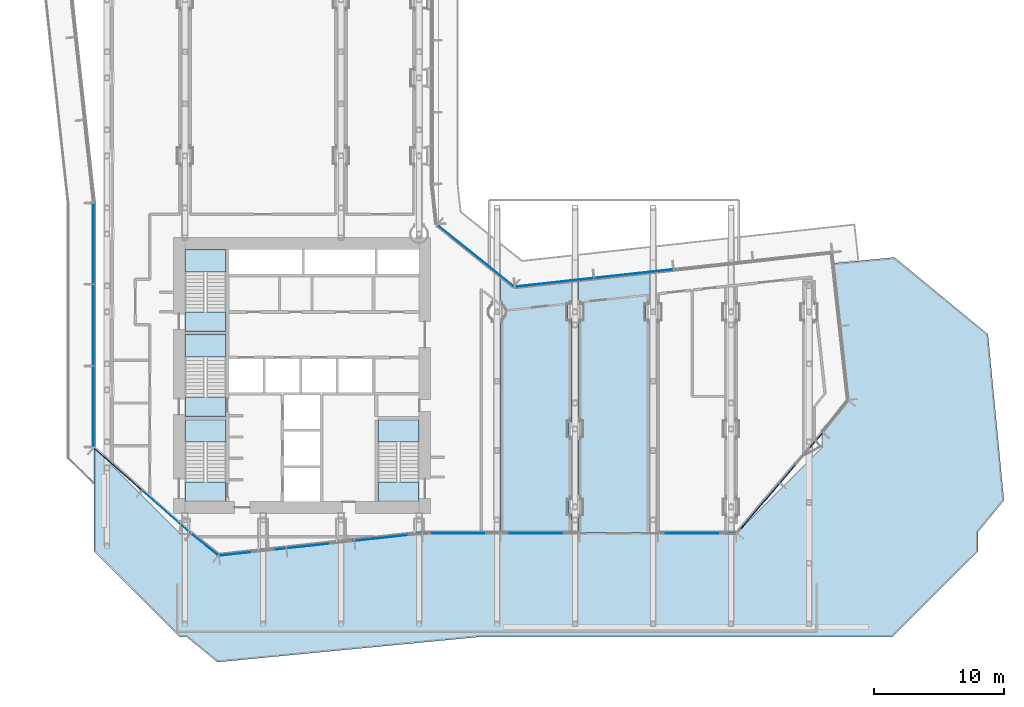
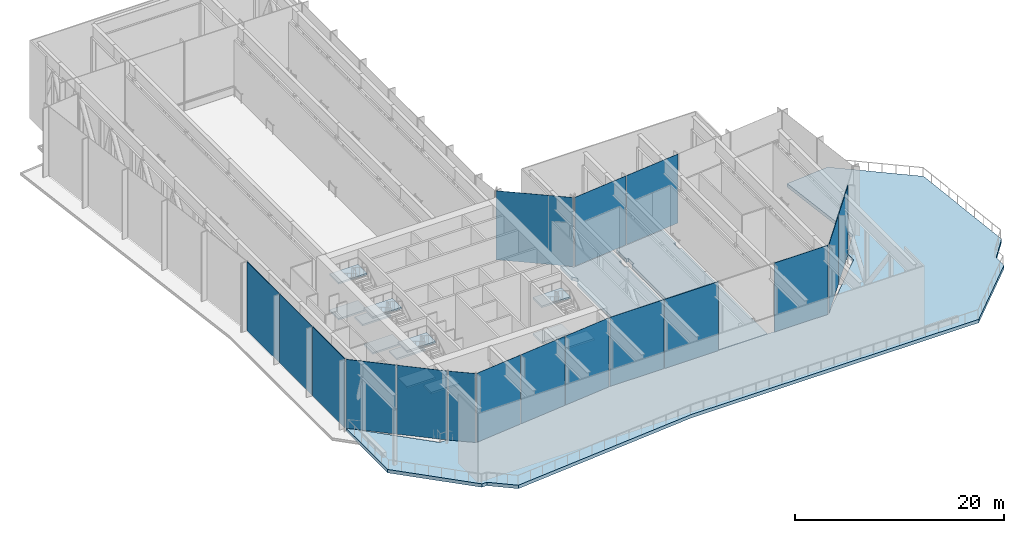
# One storey, part 12 of 25: 17 plates, 15 slabs, 13 elements without a shape of their own.
"""IFC4 building model written with IfcOpenShell, lengths in metres."""

from ifc_helpers import new_model, si_unit, direction, frame, origin, origin_2d, place, context, subcontext, project, spatial, polyline, rectangle, outline, extrude, material, layer, layer_set, type_object, element, aggregate, save


model = new_model("IFC4")

# Units and contexts
model_context = context("Model", 3, precision=1e-05, world=origin(), true_north=direction((0.0, 1.0)))
body_context = subcontext(model_context, "Body", "Model", "MODEL_VIEW")
ifc_project = project(units=[si_unit("LENGTHUNIT", "METRE"), si_unit("AREAUNIT", "SQUARE_METRE"), si_unit("VOLUMEUNIT", "CUBIC_METRE"), si_unit("PLANEANGLEUNIT", "RADIAN"), si_unit("MASSUNIT", "GRAM", prefix="KILO")], contexts=[model_context])

# Site, building, storey
site_placement = place(None, origin())
site = spatial("IfcSite", under=ifc_project, at=site_placement, CompositionType="ELEMENT")
building_placement = place(site_placement, origin())
building = spatial("IfcBuilding", under=site, at=building_placement, Name="Welwitschia Terrace Campus", CompositionType="ELEMENT")
storey_placement = place(building_placement, frame((0.0, 0.0, 79.39990234375)))
storey = spatial("IfcBuildingStorey", under=building, at=storey_placement, Name="L18", CompositionType="ELEMENT", Elevation=79.39990234375)

# Curtain wall, plate
ifc_material_1 = material(Name="Bronze anodised aluminium", Category="aluminium")
ifc_layer_1 = layer(ifc_material_1, 0.159912109375)
ifc_layer_set_1 = layer_set([ifc_layer_1], Name="Bronze anodised aluminium")
curtain_wall_type = type_object("IfcCurtainWallType", Name="Curtain wall CW3 commons 6000", PredefinedType="NOTDEFINED", material=ifc_layer_set_1)
curtain_wall_1_placement = place(storey_placement, origin())
curtain_wall_1 = element("IfcCurtainWall", 1, at=curtain_wall_1_placement, inside=storey, type_object=curtain_wall_type, Name="CW L18.5.0", PredefinedType="NOTDEFINED")
ifc_material_2 = material(Name="Tinted bronze-grey glass", Category="glass")
ifc_layer_2 = layer(ifc_material_2, 0.031982421875)
ifc_layer_set_2 = layer_set([ifc_layer_2], Name="Tinted bronze-grey glass")
plate_type_1 = type_object("IfcPlateType", Name="Glass panel 32 tinted", PredefinedType="CURTAIN_PANEL", material=ifc_layer_set_2)
plate_1_placement = place(storey_placement, frame((4.55810546875, 4.61376953125, 0.0), z_axis=(0.0, 0.0, 1.0), x_axis=(0.749629504102, -0.661857693601, 0.0)))
plate_1 = element("IfcPlate", 2, at=plate_1_placement, type_object=plate_type_1, Name="Panel L18.5.0.1", PredefinedType="CURTAIN_PANEL", context=body_context, shape_type="SweptSolid", body=[
    extrude(rectangle(XDim=4.907470703125, YDim=0.031982421875, at=origin_2d()), origin(), (0.0, 0.0, 1.0), 8.050048828125),
])

curtain_wall_2_placement = place(storey_placement, origin())
curtain_wall_2 = element("IfcCurtainWall", 3, at=curtain_wall_2_placement, inside=storey, type_object=curtain_wall_type, Name="CW L18.6.0", PredefinedType="NOTDEFINED")
plate_2_placement = place(storey_placement, frame((7.5107421875, 2.092529296875, 0.0), z_axis=(0.0, 0.0, 1.0), x_axis=(0.779884483093, -0.625923472184, 0.0)))
plate_2 = element("IfcPlate", 4, at=plate_2_placement, type_object=plate_type_1, Name="Panel L18.6.0.0", PredefinedType="CURTAIN_PANEL", context=body_context, shape_type="SweptSolid", body=[
    extrude(rectangle(XDim=2.6201171875, YDim=0.031982421875, at=origin_2d()), origin(), (0.0, 0.0, 1.0), 8.050048828125),
])
aggregate(curtain_wall_2, [plate_2])

# Curtain wall, plates
curtain_wall_3_placement = place(storey_placement, origin())
curtain_wall_3 = element("IfcCurtainWall", 5, at=curtain_wall_3_placement, inside=storey, type_object=curtain_wall_type, Name="CW L18.7.0", PredefinedType="NOTDEFINED")
plate_3_placement = place(storey_placement, frame((11.2041015625, 1.5224609375, 0.0), z_axis=(0.0, 0.0, 1.0), x_axis=(0.994056338222, 0.108866874852, 0.0)))
plate_3 = element("IfcPlate", 6, at=plate_3_placement, type_object=plate_type_1, Name="Panel L18.7.0.0", PredefinedType="CURTAIN_PANEL", context=body_context, shape_type="SweptSolid", body=[
    extrude(rectangle(XDim=5.1611328125, YDim=0.031982421875, at=origin_2d()), origin(), (0.0, 0.0, 1.0), 8.050048828125),
])
plate_4_placement = place(storey_placement, frame((16.409423828125, 2.092529296875, 0.0), z_axis=(0.0, 0.0, 1.0), x_axis=(0.994056338222, 0.108866874852, 0.0)))
plate_4 = element("IfcPlate", 7, at=plate_4_placement, type_object=plate_type_1, Name="Panel L18.7.0.1", PredefinedType="CURTAIN_PANEL", context=body_context, shape_type="SweptSolid", body=[
    extrude(rectangle(XDim=5.191162109375, YDim=0.031982421875, at=origin_2d()), origin(), (0.0, 0.0, 1.0), 8.050048828125),
])
plate_5_placement = place(storey_placement, frame((21.614501953125, 2.66259765625, 0.0), z_axis=(0.0, 0.0, 1.0), x_axis=(0.994056338222, 0.108866874852, 0.0)))
plate_5 = element("IfcPlate", 8, at=plate_5_placement, type_object=plate_type_1, Name="Panel L18.7.0.2", PredefinedType="CURTAIN_PANEL", context=body_context, shape_type="SweptSolid", body=[
    extrude(rectangle(XDim=5.1611328125, YDim=0.031982421875, at=origin_2d()), origin(), (0.0, 0.0, 1.0), 8.050048828125),
])
aggregate(curtain_wall_3, [plate_3, plate_4, plate_5])

# Curtain wall, plate
curtain_wall_4_placement = place(storey_placement, origin())
curtain_wall_4 = element("IfcCurtainWall", 9, at=curtain_wall_4_placement, inside=storey, type_object=curtain_wall_type, Name="CW L18.8.0", PredefinedType="NOTDEFINED")
plate_6_placement = place(storey_placement, frame((27.27880859375, 2.949951171875, 0.0), z_axis=(0.0, 0.0, 1.0), x_axis=(1.0, 0.0, 0.0)))
plate_6 = element("IfcPlate", 10, at=plate_6_placement, type_object=plate_type_1, Name="Panel L18.8.0.0", PredefinedType="CURTAIN_PANEL", context=body_context, shape_type="SweptSolid", body=[
    extrude(rectangle(XDim=5.958984375, YDim=0.031982421875, at=origin_2d()), origin(), (0.0, 0.0, 1.0), 8.050048828125),
])

# Curtain wall, plates
curtain_wall_5_placement = place(storey_placement, origin())
curtain_wall_5 = element("IfcCurtainWall", 11, at=curtain_wall_5_placement, inside=storey, type_object=curtain_wall_type, Name="CW L18.12.0", PredefinedType="NOTDEFINED")
plate_7_placement = place(storey_placement, frame((40.506591796875, 22.939697265625, 0.0), z_axis=(0.0, 0.0, 1.0), x_axis=(-0.994056338222, -0.108866874852, 0.0)))
plate_7 = element("IfcPlate", 12, at=plate_7_placement, type_object=plate_type_1, Name="Panel L18.12.0.2", PredefinedType="CURTAIN_PANEL", context=body_context, shape_type="SweptSolid", body=[
    extrude(rectangle(XDim=6.09375, YDim=0.031982421875, at=origin_2d()), origin(), (0.0, 0.0, 1.0), 8.050048828125),
])
plate_8_placement = place(storey_placement, frame((34.404296875, 22.271484375, 0.0), z_axis=(0.0, 0.0, 1.0), x_axis=(-0.994056338222, -0.108866874852, 0.0)))
plate_8 = element("IfcPlate", 13, at=plate_8_placement, type_object=plate_type_1, Name="Panel L18.12.0.3", PredefinedType="CURTAIN_PANEL", context=body_context, shape_type="SweptSolid", body=[
    extrude(rectangle(XDim=6.063720703125, YDim=0.031982421875, at=origin_2d()), origin(), (0.0, 0.0, 1.0), 8.050048828125),
])
aggregate(curtain_wall_5, [plate_7, plate_8])

# Curtain wall, plate
curtain_wall_6_placement = place(storey_placement, origin())
curtain_wall_6 = element("IfcCurtainWall", 14, at=curtain_wall_6_placement, inside=storey, type_object=curtain_wall_type, Name="CW L18.13.0", PredefinedType="NOTDEFINED")
plate_9_placement = place(storey_placement, frame((28.361328125, 24.318115234375, 0.0), z_axis=(0.0, 0.0, 1.0), x_axis=(-0.779884483093, 0.625923472184, 0.0)))
plate_9 = element("IfcPlate", 15, at=plate_9_placement, type_object=plate_type_1, Name="Panel L18.13.0.0", PredefinedType="CURTAIN_PANEL", context=body_context, shape_type="SweptSolid", body=[
    extrude(rectangle(XDim=7.495361328125, YDim=0.031982421875, at=origin_2d()), origin(), (0.0, 0.0, 1.0), 8.050048828125),
])
aggregate(curtain_wall_6, [plate_9])

# Curtain wall, plates
curtain_wall_7_placement = place(storey_placement, origin())
curtain_wall_7 = element("IfcCurtainWall", 16, at=curtain_wall_7_placement, inside=storey, type_object=curtain_wall_type, Name="CW L18.4.0", PredefinedType="NOTDEFINED")
ifc_material_3 = material(Name="Bronze anodised insulated metal panel")
ifc_layer_3 = layer(ifc_material_3, 0.06005859375)
ifc_layer_set_3 = layer_set([ifc_layer_3], Name="Bronze anodised insulated metal panel")
plate_type_2 = type_object("IfcPlateType", Name="Insulated metal panel 60", PredefinedType="CURTAIN_PANEL", material=ifc_layer_set_3)
plate_10_placement = place(storey_placement, frame((-1.050048828125, 25.242431640625, 0.0), z_axis=(0.0, 0.0, 1.0), x_axis=(0.0, -1.0, 0.0)))
plate_10 = element("IfcPlate", 17, at=plate_10_placement, type_object=plate_type_2, Name="Panel L18.4.0.0", PredefinedType="CURTAIN_PANEL", context=body_context, shape_type="SweptSolid", body=[
    extrude(rectangle(XDim=6.18701171875, YDim=0.06005859375, at=origin_2d()), origin(), (0.0, 0.0, 1.0), 8.050048828125),
])
plate_11_placement = place(storey_placement, frame((-1.050048828125, 18.98046875, 0.0), z_axis=(0.0, 0.0, 1.0), x_axis=(0.0, -1.0, 0.0)))
plate_11 = element("IfcPlate", 18, at=plate_11_placement, type_object=plate_type_2, Name="Panel L18.4.0.1", PredefinedType="CURTAIN_PANEL", context=body_context, shape_type="SweptSolid", body=[
    extrude(rectangle(XDim=6.217041015625, YDim=0.06005859375, at=origin_2d()), origin(), (0.0, 0.0, 1.0), 8.050048828125),
])
plate_12_placement = place(storey_placement, frame((-1.050048828125, 12.718505859375, 0.0), z_axis=(0.0, 0.0, 1.0), x_axis=(0.0, -1.0, 0.0)))
plate_12 = element("IfcPlate", 19, at=plate_12_placement, type_object=plate_type_2, Name="Panel L18.4.0.2", PredefinedType="CURTAIN_PANEL", context=body_context, shape_type="SweptSolid", body=[
    extrude(rectangle(XDim=6.18701171875, YDim=0.06005859375, at=origin_2d()), origin(), (0.0, 0.0, 1.0), 8.050048828125),
])
aggregate(curtain_wall_7, [plate_10, plate_11, plate_12])

# Plate
plate_13_placement = place(storey_placement, frame((0.834228515625, 7.9013671875, 0.0), z_axis=(0.0, 0.0, 1.0), x_axis=(0.749629504102, -0.661857693601, 0.0)))
plate_13 = element("IfcPlate", 20, at=plate_13_placement, type_object=plate_type_2, Name="Panel L18.5.0.0", PredefinedType="CURTAIN_PANEL", context=body_context, shape_type="SweptSolid", body=[
    extrude(rectangle(XDim=4.907470703125, YDim=0.06005859375, at=origin_2d()), origin(), (0.0, 0.0, 1.0), 8.050048828125),
])

aggregate(curtain_wall_1, [plate_13, plate_1])

plate_14_placement = place(storey_placement, frame((33.297607421875, 2.949951171875, 0.0), z_axis=(0.0, 0.0, 1.0), x_axis=(1.0, 0.0, 0.0)))
plate_14 = element("IfcPlate", 21, at=plate_14_placement, type_object=plate_type_2, Name="Panel L18.8.0.1", PredefinedType="CURTAIN_PANEL", context=body_context, shape_type="SweptSolid", body=[
    extrude(rectangle(XDim=5.958984375, YDim=0.06005859375, at=origin_2d()), origin(), (0.0, 0.0, 1.0), 8.050048828125),
])

aggregate(curtain_wall_4, [plate_6, plate_14])

# Curtain wall, plate
curtain_wall_8_placement = place(storey_placement, origin())
curtain_wall_8 = element("IfcCurtainWall", 22, at=curtain_wall_8_placement, inside=storey, type_object=curtain_wall_type, Name="CW L18.8.3", PredefinedType="NOTDEFINED")
plate_15_placement = place(storey_placement, frame((45.410400390625, 2.949951171875, 0.0), z_axis=(0.0, 0.0, 1.0), x_axis=(1.0, 0.0, 0.0)))
plate_15 = element("IfcPlate", 23, at=plate_15_placement, type_object=plate_type_2, Name="Panel L18.8.3.0", PredefinedType="CURTAIN_PANEL", context=body_context, shape_type="SweptSolid", body=[
    extrude(rectangle(XDim=5.928955078125, YDim=0.06005859375, at=origin_2d()), origin(), (0.0, 0.0, 1.0), 8.050048828125),
])
aggregate(curtain_wall_8, [plate_15])

# Curtain wall, plates
curtain_wall_9_placement = place(storey_placement, origin())
curtain_wall_9 = element("IfcCurtainWall", 24, at=curtain_wall_9_placement, inside=storey, type_object=curtain_wall_type, Name="CW L18.9.0", PredefinedType="NOTDEFINED")
plate_16_placement = place(storey_placement, frame((50.098388671875, 4.900390625, 0.0), z_axis=(0.0, 0.0, 1.0), x_axis=(0.648920216738, 0.760856459727, 0.0)))
plate_16 = element("IfcPlate", 25, at=plate_16_placement, type_object=plate_type_2, Name="Panel L18.9.0.0", PredefinedType="CURTAIN_PANEL", context=body_context, shape_type="SweptSolid", body=[
    extrude(rectangle(XDim=5.007080078125, YDim=0.06005859375, at=origin_2d()), origin(), (0.0, 0.0, 1.0), 8.050048828125),
])
plate_17_placement = place(storey_placement, frame((53.386474609375, 8.755615234375, 0.0), z_axis=(0.0, 0.0, 1.0), x_axis=(0.648920216738, 0.760856459727, 0.0)))
plate_17 = element("IfcPlate", 26, at=plate_17_placement, type_object=plate_type_2, Name="Panel L18.9.0.1", PredefinedType="CURTAIN_PANEL", context=body_context, shape_type="SweptSolid", body=[
    extrude(rectangle(XDim=5.007080078125, YDim=0.06005859375, at=origin_2d()), origin(), (0.0, 0.0, 1.0), 8.050048828125),
])
aggregate(curtain_wall_9, [plate_16, plate_17])

# Stair, slabs
ifc_material_4 = material(Name="Concrete C40/50", Category="concrete")
stair_type = type_object("IfcStairType", Name="Stair 48R 175 W1500", PredefinedType="HALF_TURN_STAIR", material=ifc_material_4)
stair_1_placement = place(storey_placement, origin())
stair_1 = element("IfcStair", 27, at=stair_1_placement, inside=storey, type_object=stair_type, Name="L18 Exit stair S1", PredefinedType="HALF_TURN_STAIR")
ifc_material_5 = material(Name="Concrete C40/50", Category="concrete")
ifc_layer_4 = layer(ifc_material_5, 0.199951171875)
ifc_layer_set_4 = layer_set([ifc_layer_4], Name="Concrete C40/50")
slab_type_1 = type_object("IfcSlabType", Name="Stair landing RC", PredefinedType="LANDING", material=ifc_layer_set_4)
slab_1_placement = place(storey_placement, frame((0.0, 0.0, 1.900146484375)))
slab_1 = element("IfcSlab", 28, at=slab_1_placement, type_object=slab_type_1, Name="S1 landing 1", PredefinedType="LANDING", context=body_context, shape_type="SweptSolid", body=[
    extrude(outline(polyline([(9.14990234375, 9.97998046875), (9.14990234375, 11.699951171875), (6.0, 11.699951171875), (6.0, 9.97998046875), (9.14990234375, 9.97998046875)])), origin(), (0.0, 0.0, 1.0), 0.199951171875),
])
slab_2_placement = place(storey_placement, frame((0.0, 0.0, 4.0)))
slab_2 = element("IfcSlab", 29, at=slab_2_placement, type_object=slab_type_1, Name="S1 landing 2", PredefinedType="LANDING", context=body_context, shape_type="SweptSolid", body=[
    extrude(outline(polyline([(9.14990234375, 5.39990234375), (9.14990234375, 6.89990234375), (6.0, 6.89990234375), (6.0, 5.39990234375), (9.14990234375, 5.39990234375)])), origin(), (0.0, 0.0, 1.0), 0.2001953125),
])
slab_3_placement = place(storey_placement, frame((0.0, 0.0, 6.10009765625)))
slab_3 = element("IfcSlab", 30, at=slab_3_placement, type_object=slab_type_1, Name="S1 landing 3", PredefinedType="LANDING", context=body_context, shape_type="SweptSolid", body=[
    extrude(outline(polyline([(9.14990234375, 9.97998046875), (9.14990234375, 11.699951171875), (6.0, 11.699951171875), (6.0, 9.97998046875), (9.14990234375, 9.97998046875)])), origin(), (0.0, 0.0, 1.0), 0.199951171875),
])
aggregate(stair_1, [slab_1, slab_2, slab_3])

stair_2_placement = place(storey_placement, origin())
stair_2 = element("IfcStair", 31, at=stair_2_placement, inside=storey, type_object=stair_type, Name="L18 Exit stair S3", PredefinedType="HALF_TURN_STAIR")
slab_4_placement = place(storey_placement, frame((0.0, 0.0, 1.900146484375)))
slab_4 = element("IfcSlab", 32, at=slab_4_placement, type_object=slab_type_1, Name="S3 landing 1", PredefinedType="LANDING", context=body_context, shape_type="SweptSolid", body=[
    extrude(outline(polyline([(9.14990234375, 16.530029296875), (9.14990234375, 18.25), (6.0, 18.25), (6.0, 16.530029296875), (9.14990234375, 16.530029296875)])), origin(), (0.0, 0.0, 1.0), 0.199951171875),
])
slab_5_placement = place(storey_placement, frame((0.0, 0.0, 4.0)))
slab_5 = element("IfcSlab", 33, at=slab_5_placement, type_object=slab_type_1, Name="S3 landing 2", PredefinedType="LANDING", context=body_context, shape_type="SweptSolid", body=[
    extrude(outline(polyline([(9.14990234375, 11.949951171875), (9.14990234375, 13.449951171875), (6.0, 13.449951171875), (6.0, 11.949951171875), (9.14990234375, 11.949951171875)])), origin(), (0.0, 0.0, 1.0), 0.2001953125),
])
slab_6_placement = place(storey_placement, frame((0.0, 0.0, 6.10009765625)))
slab_6 = element("IfcSlab", 34, at=slab_6_placement, type_object=slab_type_1, Name="S3 landing 3", PredefinedType="LANDING", context=body_context, shape_type="SweptSolid", body=[
    extrude(outline(polyline([(9.14990234375, 16.530029296875), (9.14990234375, 18.25), (6.0, 18.25), (6.0, 16.530029296875), (9.14990234375, 16.530029296875)])), origin(), (0.0, 0.0, 1.0), 0.199951171875),
])
aggregate(stair_2, [slab_4, slab_5, slab_6])

stair_3_placement = place(storey_placement, origin())
stair_3 = element("IfcStair", 35, at=stair_3_placement, inside=storey, type_object=stair_type, Name="L18 Exit stair S4", PredefinedType="HALF_TURN_STAIR")
slab_7_placement = place(storey_placement, frame((0.0, 0.0, 1.900146484375)))
slab_7 = element("IfcSlab", 36, at=slab_7_placement, type_object=slab_type_1, Name="S4 landing 1", PredefinedType="LANDING", context=body_context, shape_type="SweptSolid", body=[
    extrude(outline(polyline([(9.14990234375, 23.080078125), (9.14990234375, 24.800048828125), (6.0, 24.800048828125), (6.0, 23.080078125), (9.14990234375, 23.080078125)])), origin(), (0.0, 0.0, 1.0), 0.199951171875),
])
slab_8_placement = place(storey_placement, frame((0.0, 0.0, 4.0)))
slab_8 = element("IfcSlab", 37, at=slab_8_placement, type_object=slab_type_1, Name="S4 landing 2", PredefinedType="LANDING", context=body_context, shape_type="SweptSolid", body=[
    extrude(outline(polyline([(9.14990234375, 18.5), (9.14990234375, 20.0), (6.0, 20.0), (6.0, 18.5), (9.14990234375, 18.5)])), origin(), (0.0, 0.0, 1.0), 0.2001953125),
])
slab_9_placement = place(storey_placement, frame((0.0, 0.0, 6.10009765625)))
slab_9 = element("IfcSlab", 38, at=slab_9_placement, type_object=slab_type_1, Name="S4 landing 3", PredefinedType="LANDING", context=body_context, shape_type="SweptSolid", body=[
    extrude(outline(polyline([(9.14990234375, 23.080078125), (9.14990234375, 24.800048828125), (6.0, 24.800048828125), (6.0, 23.080078125), (9.14990234375, 23.080078125)])), origin(), (0.0, 0.0, 1.0), 0.199951171875),
])
aggregate(stair_3, [slab_7, slab_8, slab_9])

stair_4_placement = place(storey_placement, origin())
stair_4 = element("IfcStair", 39, at=stair_4_placement, inside=storey, type_object=stair_type, Name="L18 Exit stair S2", PredefinedType="HALF_TURN_STAIR")
slab_10_placement = place(storey_placement, frame((0.0, 0.0, 1.900146484375)))
slab_10 = element("IfcSlab", 40, at=slab_10_placement, type_object=slab_type_1, Name="S2 landing 1", PredefinedType="LANDING", context=body_context, shape_type="SweptSolid", body=[
    extrude(outline(polyline([(24.0, 9.97998046875), (24.0, 11.699951171875), (20.85009765625, 11.699951171875), (20.85009765625, 9.97998046875), (24.0, 9.97998046875)])), origin(), (0.0, 0.0, 1.0), 0.199951171875),
])
slab_11_placement = place(storey_placement, frame((0.0, 0.0, 4.0)))
slab_11 = element("IfcSlab", 41, at=slab_11_placement, type_object=slab_type_1, Name="S2 landing 2", PredefinedType="LANDING", context=body_context, shape_type="SweptSolid", body=[
    extrude(outline(polyline([(24.0, 5.39990234375), (24.0, 6.89990234375), (20.85009765625, 6.89990234375), (20.85009765625, 5.39990234375), (24.0, 5.39990234375)])), origin(), (0.0, 0.0, 1.0), 0.2001953125),
])
slab_12_placement = place(storey_placement, frame((0.0, 0.0, 6.10009765625)))
slab_12 = element("IfcSlab", 42, at=slab_12_placement, type_object=slab_type_1, Name="S2 landing 3", PredefinedType="LANDING", context=body_context, shape_type="SweptSolid", body=[
    extrude(outline(polyline([(24.0, 9.97998046875), (24.0, 11.699951171875), (20.85009765625, 11.699951171875), (20.85009765625, 9.97998046875), (24.0, 9.97998046875)])), origin(), (0.0, 0.0, 1.0), 0.199951171875),
])
aggregate(stair_4, [slab_10, slab_11, slab_12])

# Slabs
ifc_material_6 = material(Name="Concrete C40/50", Category="concrete")
ifc_layer_5 = layer(ifc_material_6, 0.39990234375)
ifc_layer_set_5 = layer_set([ifc_layer_5], Name="Concrete C40/50")
slab_type_2 = type_object("IfcSlabType", Name="Suspended floor slab 400", PredefinedType="FLOOR", material=ifc_layer_set_5)
slab_13_placement = place(storey_placement, frame((0.0, 0.0, -0.39990234375)))
element("IfcSlab", 43, at=slab_13_placement, inside=storey, type_object=slab_type_2, Name="Floor slab L18", PredefinedType="FLOOR", context=body_context, shape_type="SweptSolid", body=[
    extrude(outline(polyline([(30.260009765625, 19.490234375), (30.3193359375, 19.52197265625), (30.406494140625, 19.593505859375), (30.47802734375, 19.6806640625), (30.53125, 19.780029296875), (30.56396484375, 19.887939453125), (30.574951171875, 20.0), (30.56396484375, 20.112060546875), (30.53125, 20.219970703125), (30.47802734375, 20.3193359375), (30.406494140625, 20.406494140625), (30.3193359375, 20.47802734375), (30.260009765625, 20.509765625), (30.260009765625, 22.730224609375), (31.315673828125, 21.8828125), (35.739990234375, 22.367431640625), (35.739990234375, 20.52490234375), (35.47509765625, 20.52490234375), (35.47509765625, 19.47509765625), (35.739990234375, 19.47509765625), (35.739990234375, 11.5), (35.5, 11.5), (35.5, 10.5), (35.739990234375, 10.5), (35.739990234375, 5.5), (35.5, 5.5), (35.5, 4.5), (35.739990234375, 4.5), (35.739990234375, 3.014892578125), (30.260009765625, 3.014892578125), (30.260009765625, 19.490234375)])), origin(), (0.0, 0.0, 1.0), 0.39990234375),
])
slab_14_placement = place(storey_placement, frame((0.0, 0.0, -0.39990234375)))
element("IfcSlab", 44, at=slab_14_placement, inside=storey, type_object=slab_type_2, Name="Floor slab L18", PredefinedType="FLOOR", context=body_context, shape_type="SweptSolid", body=[
    extrude(outline(polyline([(36.260009765625, 4.5), (36.5, 4.5), (36.5, 5.5), (36.260009765625, 5.5), (36.260009765625, 10.5), (36.5, 10.5), (36.5, 11.5), (36.260009765625, 11.5), (36.260009765625, 19.47509765625), (36.52490234375, 19.47509765625), (36.52490234375, 20.52490234375), (36.260009765625, 20.52490234375), (36.260009765625, 22.42431640625), (41.739990234375, 23.024658203125), (41.739990234375, 20.52490234375), (41.47509765625, 20.52490234375), (41.47509765625, 19.47509765625), (41.739990234375, 19.47509765625), (41.739990234375, 3.014892578125), (36.260009765625, 3.014892578125), (36.260009765625, 4.5)])), origin(), (0.0, 0.0, 1.0), 0.39990234375),
])
ifc_material_7 = material(Name="Concrete C40/50", Category="concrete")
ifc_layer_6 = layer(ifc_material_7, 0.39990234375)
ifc_layer_set_6 = layer_set([ifc_layer_6], Name="Concrete C40/50")
slab_type_3 = type_object("IfcSlabType", Name="Terrace slab 400", PredefinedType="FLOOR", material=ifc_layer_set_6)
slab_15_placement = place(storey_placement, frame((0.0, 0.0, -0.39990234375)))
element("IfcSlab", 45, at=slab_15_placement, inside=storey, type_object=slab_type_3, Name="Terrace slab", PredefinedType="FLOOR", context=body_context, shape_type="SweptSolid", body=[
    extrude(outline(polyline([(60.576416015625, 24.19189453125), (67.76318359375, 18.267822265625), (68.99267578125, 5.498291015625), (67.0, 3.0810546875), (67.0, 1.585693359375), (60.414306640625, -5.0), (28.675048828125, -5.0), (8.492431640625, -6.943359375), (6.135009765625, -5.0), (5.585693359375, -5.0), (-1.0, 1.585693359375), (-1.0, 9.585693359375), (0.257080078125, 8.32861328125), (0.2451171875, 8.32861328125), (0.2451171875, 8.32568359375), (0.2451171875, 8.32421875), (0.245361328125, 8.32275390625), (0.24560546875, 8.321533203125), (0.24609375, 8.320068359375), (0.246826171875, 8.318603515625), (0.24755859375, 8.3173828125), (0.248291015625, 8.316162109375), (0.24951171875, 8.315185546875), (5.5751953125, 2.989501953125), (5.576171875, 2.988525390625), (5.577392578125, 2.987548828125), (5.57861328125, 2.98681640625), (5.580078125, 2.986083984375), (5.58154296875, 2.985595703125), (5.582763671875, 2.9853515625), (5.584228515625, 2.985107421875), (5.585693359375, 2.985107421875), (5.739990234375, 2.985107421875), (5.741455078125, 2.985107421875), (5.742919921875, 2.9853515625), (5.744384765625, 2.985595703125), (5.745849609375, 2.986083984375), (5.7470703125, 2.98681640625), (5.748291015625, 2.987548828125), (5.74951171875, 2.988525390625), (5.75048828125, 2.989501953125), (5.751708984375, 2.990478515625), (5.75244140625, 2.99169921875), (5.753173828125, 2.992919921875), (5.75390625, 2.994140625), (5.75439453125, 2.99560546875), (5.754638671875, 2.9970703125), (5.7548828125, 2.99853515625), (5.7548828125, 3.0), (6.2451171875, 3.0), (6.2451171875, 2.99853515625), (6.245361328125, 2.9970703125), (6.24560546875, 2.99560546875), (6.24609375, 2.994140625), (6.246826171875, 2.992919921875), (6.24755859375, 2.99169921875), (6.248291015625, 2.990478515625), (6.24951171875, 2.989501953125), (6.25048828125, 2.988525390625), (6.251708984375, 2.987548828125), (6.2529296875, 2.98681640625), (6.254150390625, 2.986083984375), (6.255615234375, 2.985595703125), (6.257080078125, 2.9853515625), (6.258544921875, 2.985107421875), (6.260009765625, 2.985107421875), (6.45458984375, 2.985107421875), (8.5849609375, 1.275146484375), (8.586181640625, 1.2744140625), (8.58740234375, 1.273681640625), (8.5888671875, 1.27294921875), (8.590087890625, 1.2724609375), (8.591552734375, 1.272216796875), (8.593017578125, 1.27197265625), (8.594482421875, 1.27197265625), (8.595947265625, 1.27197265625), (11.74169921875, 1.616455078125), (11.7431640625, 1.61669921875), (11.744384765625, 1.6171875), (11.745849609375, 1.61767578125), (11.7470703125, 1.6181640625), (11.74853515625, 1.618896484375), (11.74951171875, 1.619873046875), (11.750732421875, 1.620849609375), (11.751708984375, 1.621826171875), (11.75244140625, 1.623046875), (11.753173828125, 1.624267578125), (11.75390625, 1.625732421875), (11.75439453125, 1.626953125), (11.754638671875, 1.62841796875), (11.7548828125, 1.6298828125), (11.7548828125, 1.63134765625), (11.7548828125, 1.633056640625), (12.2451171875, 1.686767578125), (12.245361328125, 1.685302734375), (12.24560546875, 1.68408203125), (12.24609375, 1.6826171875), (12.246826171875, 1.68115234375), (12.24755859375, 1.679931640625), (12.24853515625, 1.6787109375), (12.24951171875, 1.677734375), (12.25048828125, 1.6767578125), (12.251708984375, 1.67578125), (12.2529296875, 1.675048828125), (12.25439453125, 1.674560546875), (12.255859375, 1.674072265625), (12.25732421875, 1.673583984375), (12.2587890625, 1.67333984375), (12.26025390625, 1.67333984375), (12.26171875, 1.67333984375), (17.74169921875, 2.273681640625), (17.7431640625, 2.27392578125), (17.744384765625, 2.274169921875), (17.745849609375, 2.274658203125), (17.7470703125, 2.275390625), (17.74853515625, 2.276123046875), (17.74951171875, 2.27685546875), (17.750732421875, 2.278076171875), (17.751708984375, 2.279052734375), (17.75244140625, 2.2802734375), (17.753173828125, 2.281494140625), (17.75390625, 2.28271484375), (17.75439453125, 2.2841796875), (17.754638671875, 2.28564453125), (17.7548828125, 2.287109375), (17.7548828125, 2.28857421875), (17.7548828125, 2.2900390625), (18.2451171875, 2.34375), (18.245361328125, 2.342529296875), (18.24560546875, 2.341064453125), (18.24609375, 2.339599609375), (18.246826171875, 2.33837890625), (18.24755859375, 2.337158203125), (18.24853515625, 2.3359375), (18.24951171875, 2.334716796875), (18.25048828125, 2.333740234375), (18.251708984375, 2.3330078125), (18.2529296875, 2.332275390625), (18.25439453125, 2.33154296875), (18.255859375, 2.3310546875), (18.25732421875, 2.330810546875), (18.2587890625, 2.33056640625), (18.26025390625, 2.33056640625), (18.26171875, 2.33056640625), (23.74169921875, 2.9306640625), (23.7431640625, 2.930908203125), (23.744384765625, 2.931396484375), (23.745849609375, 2.931884765625), (23.7470703125, 2.932373046875), (23.74853515625, 2.93310546875), (23.74951171875, 2.93408203125), (23.750732421875, 2.93505859375), (23.751708984375, 2.93603515625), (23.75244140625, 2.937255859375), (23.753173828125, 2.9384765625), (23.75390625, 2.93994140625), (23.75439453125, 2.94140625), (23.754638671875, 2.942626953125), (23.7548828125, 2.944091796875), (23.7548828125, 2.945556640625), (23.7548828125, 2.947265625), (24.236572265625, 3.0), (24.2451171875, 3.0), (24.2451171875, 2.99853515625), (24.245361328125, 2.9970703125), (24.24560546875, 2.99560546875), (24.24609375, 2.994140625), (24.246826171875, 2.992919921875), (24.24755859375, 2.99169921875), (24.248291015625, 2.990478515625), (24.24951171875, 2.989501953125), (24.25048828125, 2.988525390625), (24.251708984375, 2.987548828125), (24.2529296875, 2.98681640625), (24.254150390625, 2.986083984375), (24.255615234375, 2.985595703125), (24.257080078125, 2.9853515625), (24.258544921875, 2.985107421875), (24.260009765625, 2.985107421875), (29.739990234375, 2.985107421875), (29.741455078125, 2.985107421875), (29.742919921875, 2.9853515625), (29.744384765625, 2.985595703125), (29.745849609375, 2.986083984375), (29.7470703125, 2.98681640625), (29.748291015625, 2.987548828125), (29.74951171875, 2.988525390625), (29.75048828125, 2.989501953125), (29.751708984375, 2.990478515625), (29.75244140625, 2.99169921875), (29.753173828125, 2.992919921875), (29.75390625, 2.994140625), (29.75439453125, 2.99560546875), (29.754638671875, 2.9970703125), (29.7548828125, 2.99853515625), (29.7548828125, 3.0), (30.2451171875, 3.0), (30.2451171875, 2.99853515625), (30.245361328125, 2.9970703125), (30.24560546875, 2.99560546875), (30.24609375, 2.994140625), (30.246826171875, 2.992919921875), (30.24755859375, 2.99169921875), (30.248291015625, 2.990478515625), (30.24951171875, 2.989501953125), (30.25048828125, 2.988525390625), (30.251708984375, 2.987548828125), (30.2529296875, 2.98681640625), (30.254150390625, 2.986083984375), (30.255615234375, 2.985595703125), (30.257080078125, 2.9853515625), (30.258544921875, 2.985107421875), (30.260009765625, 2.985107421875), (35.739990234375, 2.985107421875), (35.741455078125, 2.985107421875), (35.742919921875, 2.9853515625), (35.744384765625, 2.985595703125), (35.745849609375, 2.986083984375), (35.7470703125, 2.98681640625), (35.748291015625, 2.987548828125), (35.74951171875, 2.988525390625), (35.75048828125, 2.989501953125), (35.751708984375, 2.990478515625), (35.75244140625, 2.99169921875), (35.753173828125, 2.992919921875), (35.75390625, 2.994140625), (35.75439453125, 2.99560546875), (35.754638671875, 2.9970703125), (35.7548828125, 2.99853515625), (35.7548828125, 3.0), (36.2451171875, 3.0), (36.2451171875, 2.99853515625), (36.245361328125, 2.9970703125), (36.24560546875, 2.99560546875), (36.24609375, 2.994140625), (36.246826171875, 2.992919921875), (36.24755859375, 2.99169921875), (36.248291015625, 2.990478515625), (36.24951171875, 2.989501953125), (36.25048828125, 2.988525390625), (36.251708984375, 2.987548828125), (36.2529296875, 2.98681640625), (36.254150390625, 2.986083984375), (36.255615234375, 2.985595703125), (36.257080078125, 2.9853515625), (36.258544921875, 2.985107421875), (36.260009765625, 2.985107421875), (41.739990234375, 2.985107421875), (41.741455078125, 2.985107421875), (41.742919921875, 2.9853515625), (41.744384765625, 2.985595703125), (41.745849609375, 2.986083984375), (41.7470703125, 2.98681640625), (41.748291015625, 2.987548828125), (41.74951171875, 2.988525390625), (41.75048828125, 2.989501953125), (41.751708984375, 2.990478515625), (41.75244140625, 2.99169921875), (41.753173828125, 2.992919921875), (41.75390625, 2.994140625), (41.75439453125, 2.99560546875), (41.754638671875, 2.9970703125), (41.7548828125, 2.99853515625), (41.7548828125, 3.0), (42.2451171875, 3.0), (42.2451171875, 2.99853515625), (42.245361328125, 2.9970703125), (42.24560546875, 2.99560546875), (42.24609375, 2.994140625), (42.246826171875, 2.992919921875), (42.24755859375, 2.99169921875), (42.248291015625, 2.990478515625), (42.24951171875, 2.989501953125), (42.25048828125, 2.988525390625), (42.251708984375, 2.987548828125), (42.2529296875, 2.98681640625), (42.254150390625, 2.986083984375), (42.255615234375, 2.985595703125), (42.257080078125, 2.9853515625), (42.258544921875, 2.985107421875), (42.260009765625, 2.985107421875), (47.739990234375, 2.985107421875), (47.741455078125, 2.985107421875), (47.742919921875, 2.9853515625), (47.744384765625, 2.985595703125), (47.745849609375, 2.986083984375), (47.7470703125, 2.98681640625), (47.748291015625, 2.987548828125), (47.74951171875, 2.988525390625), (47.75048828125, 2.989501953125), (47.751708984375, 2.990478515625), (47.75244140625, 2.99169921875), (47.753173828125, 2.992919921875), (47.75390625, 2.994140625), (47.75439453125, 2.99560546875), (47.754638671875, 2.9970703125), (47.7548828125, 2.99853515625), (47.7548828125, 3.0), (48.2451171875, 3.0), (48.2451171875, 2.99853515625), (48.245361328125, 2.9970703125), (48.24560546875, 2.99560546875), (48.24609375, 2.994140625), (48.246826171875, 2.992919921875), (48.24755859375, 2.99169921875), (48.248291015625, 2.990478515625), (48.24951171875, 2.989501953125), (48.25048828125, 2.988525390625), (48.251708984375, 2.987548828125), (48.2529296875, 2.98681640625), (48.254150390625, 2.986083984375), (48.255615234375, 2.985595703125), (48.257080078125, 2.9853515625), (48.258544921875, 2.985107421875), (48.260009765625, 2.985107421875), (48.414306640625, 2.985107421875), (48.415771484375, 2.985107421875), (48.417236328125, 2.9853515625), (48.41845703125, 2.985595703125), (48.419921875, 2.986083984375), (48.42138671875, 2.98681640625), (48.422607421875, 2.987548828125), (48.423828125, 2.988525390625), (48.4248046875, 2.989501953125), (53.75048828125, 8.315185546875), (53.751708984375, 8.316162109375), (53.75244140625, 8.3173828125), (53.753173828125, 8.318603515625), (53.75390625, 8.320068359375), (53.75439453125, 8.321533203125), (53.754638671875, 8.32275390625), (53.7548828125, 8.32421875), (53.7548828125, 8.32568359375), (53.7548828125, 8.32861328125), (53.742919921875, 8.32861328125), (54.24951171875, 8.835205078125), (54.24951171875, 8.835205078125), (54.25048828125, 8.834228515625), (54.251708984375, 8.833251953125), (54.2529296875, 8.83251953125), (54.254150390625, 8.83203125), (54.255615234375, 8.83154296875), (54.257080078125, 8.8310546875), (54.258544921875, 8.830810546875), (54.260009765625, 8.830810546875), (54.261474609375, 8.830810546875), (54.262939453125, 8.8310546875), (54.264404296875, 8.83154296875), (54.265625, 8.83203125), (54.26708984375, 8.83251953125), (54.268310546875, 8.833251953125), (54.26953125, 8.834228515625), (54.2705078125, 8.835205078125), (55.010498046875, 9.5751953125), (55.011474609375, 9.576171875), (55.012451171875, 9.577392578125), (55.01318359375, 9.57861328125), (55.013916015625, 9.580078125), (55.014404296875, 9.58154296875), (55.0146484375, 9.582763671875), (55.014892578125, 9.584228515625), (55.014892578125, 9.585693359375), (55.014892578125, 10.718505859375), (57.009521484375, 13.20361328125), (57.010498046875, 13.204833984375), (57.01123046875, 13.206298828125), (57.011962890625, 13.20751953125), (57.012451171875, 13.208984375), (57.0126953125, 13.21044921875), (57.012939453125, 13.2119140625), (57.012939453125, 13.21337890625), (57.012939453125, 13.21484375), (55.8603515625, 23.73779296875), (60.576416015625, 24.19189453125)])), origin(), (0.0, 0.0, 1.0), 0.39990234375),
])

save(model, "model.ifc")
